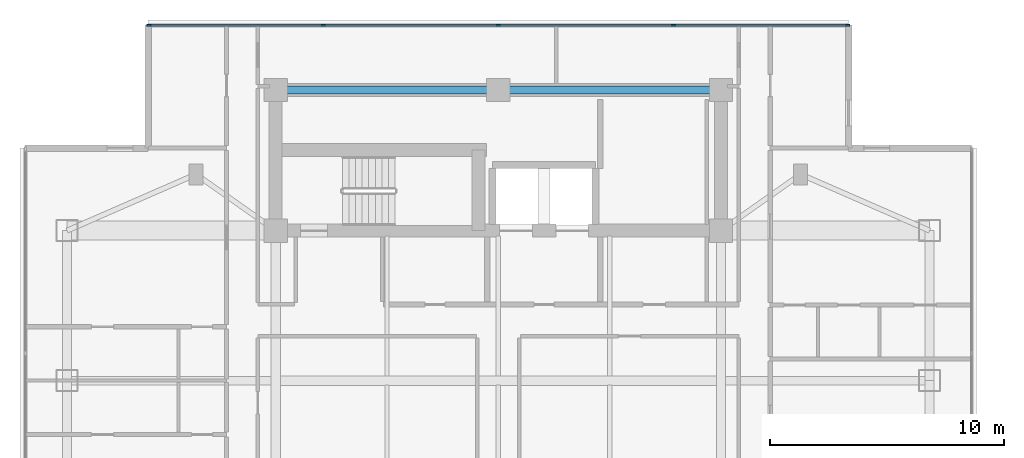
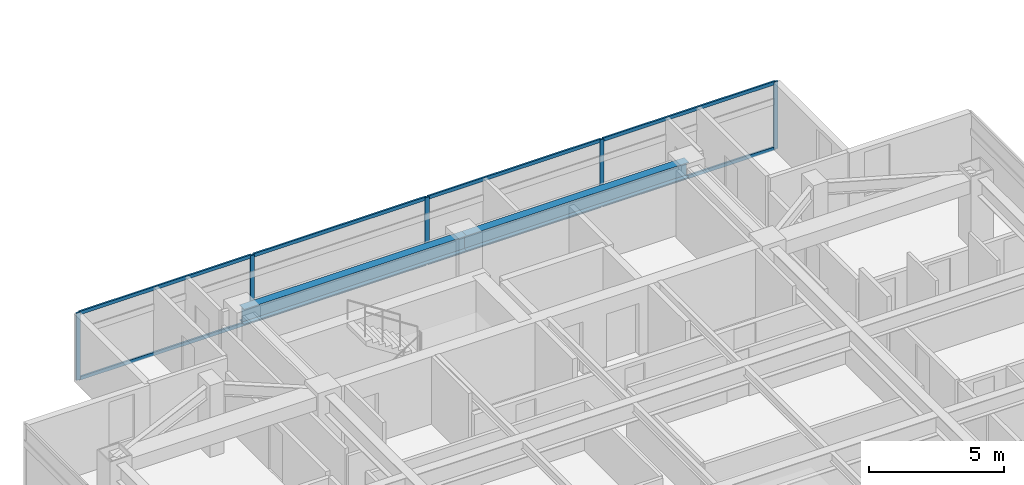
# One storey, part 7 of 24: 13 members, 2 beams, 1 element without a shape of its own.
"""IFC4 building model written with IfcOpenShell, lengths in metres."""

from ifc_helpers import new_model, si_unit, direction, frame, origin, origin_2d, place, context, subcontext, project, spatial, rectangle, i_section, extrude, material, material_profile, profile_set, type_object, element, aggregate, save


model = new_model("IFC4")

# Units and contexts
model_context = context("Model", 3, precision=1e-05, world=origin(), true_north=direction((0.0, 1.0)))
body_context = subcontext(model_context, "Body", "Model", "MODEL_VIEW")
ifc_project = project(units=[si_unit("LENGTHUNIT", "METRE"), si_unit("AREAUNIT", "SQUARE_METRE"), si_unit("VOLUMEUNIT", "CUBIC_METRE"), si_unit("PLANEANGLEUNIT", "RADIAN"), si_unit("MASSUNIT", "GRAM", prefix="KILO")], contexts=[model_context])

# Site, building, storey
site_placement = place(None, origin())
site = spatial("IfcSite", under=ifc_project, at=site_placement, CompositionType="ELEMENT")
building_placement = place(site_placement, origin())
building = spatial("IfcBuilding", under=site, at=building_placement, Name="Mirazonda Arch Towers", CompositionType="ELEMENT")
storey_placement = place(building_placement, frame((0.0, 0.0, 160.89990234375)))
storey = spatial("IfcBuildingStorey", under=building, at=storey_placement, Name="L45", CompositionType="ELEMENT", Elevation=160.89990234375)

# Beams
ifc_material_1 = material(Name="Steel ASTM A992 Grade 50", Category="steel")
ifc_material_profile_1 = material_profile(ifc_material_1, i_section(OverallWidth=0.35498046875, OverallDepth=0.696044921875, WebThickness=0.015380859375, FlangeThickness=0.02490234375, at=origin_2d()), Name="W27X146")
ifc_profile_set_1 = profile_set([ifc_material_profile_1], Name="Steel ASTM A992 Grade 50")
beam_type = type_object("IfcBeamType", Name="BM-INT-W27X146", PredefinedType="BEAM", material=ifc_profile_set_1)
for number, where, z_axis, x_axis, name in (
    (1, (11.0, 43.60009765625, 2.7021484375), (1.0, 0.0, 0.0), (0.0, 1.0, 0.0), "L45 Floor Beam BM-T1-L45-CN1"),
    (2, (20.5, 43.60009765625, 2.7021484375), (1.0, 0.0, 0.0), (0.0, 1.0, 0.0), "L45 Floor Beam BM-T1-L45-CN2"),
):
    element("IfcBeam", number, at=place(storey_placement, frame(where, z_axis=z_axis, x_axis=x_axis)), inside=storey, type_object=beam_type, Name=name, PredefinedType="BEAM", context=body_context, shape_type="SweptSolid", body=[
        extrude(i_section(OverallWidth=0.35498046875, OverallDepth=0.696044921875, WebThickness=0.015380859375, FlangeThickness=0.02490234375, at=origin_2d()), origin(), (0.0, 0.0, 1.0), 9.5),
    ])

# Curtain wall, members
ifc_material_2 = material(Name="Anodised Aluminium and Low-E Glass", Category="aluminium")
curtain_wall_type = type_object("IfcCurtainWallType", Name="CW-RES-UNIT", PredefinedType="NOTDEFINED", material=ifc_material_2)
curtain_wall_placement = place(storey_placement, origin())
curtain_wall = element("IfcCurtainWall", 3, at=curtain_wall_placement, inside=storey, type_object=curtain_wall_type, Name="L45 T1 N Facade CW-L45-T1-N", PredefinedType="NOTDEFINED")
ifc_material_3 = material(Name="Anodised Aluminium Alloy", Category="aluminium")
ifc_material_profile_2 = material_profile(ifc_material_3, rectangle(XDim=0.074951171875, YDim=0.175048828125, at=origin_2d()), Name="ALU-MULL-75x175")
ifc_profile_set_2 = profile_set([ifc_material_profile_2], Name="Anodised Aluminium Alloy")
member_type_1 = type_object("IfcMemberType", Name="MULL-CW-RES-UNIT", PredefinedType="MULLION", material=ifc_profile_set_2)
member_1_placement = place(storey_placement, frame((5.592529296875, 46.365966796875, 0.0), z_axis=(0.0, 0.0, 1.0), x_axis=(0.0, 1.0, 0.0)))
member_1 = element("IfcMember", 4, at=member_1_placement, type_object=member_type_1, Name="CW-104 mullion 1", PredefinedType="MULLION", context=body_context, shape_type="SweptSolid", body=[
    extrude(rectangle(XDim=0.074951171875, YDim=0.175048828125, at=origin_2d()), origin(), (0.0, 0.0, 1.0), 3.030029296875),
])
member_2_placement = place(storey_placement, frame((13.027587890625, 46.365966796875, 0.0), z_axis=(0.0, 0.0, 1.0), x_axis=(0.0, 1.0, 0.0)))
member_2 = element("IfcMember", 5, at=member_2_placement, type_object=member_type_1, Name="CW-104 mullion 2", PredefinedType="MULLION", context=body_context, shape_type="SweptSolid", body=[
    extrude(rectangle(XDim=0.074951171875, YDim=0.175048828125, at=origin_2d()), origin(), (0.0, 0.0, 1.0), 3.030029296875),
])
member_3_placement = place(storey_placement, frame((20.5, 46.365966796875, 0.0), z_axis=(0.0, 0.0, 1.0), x_axis=(0.0, 1.0, 0.0)))
member_3 = element("IfcMember", 6, at=member_3_placement, type_object=member_type_1, Name="CW-104 mullion 3", PredefinedType="MULLION", context=body_context, shape_type="SweptSolid", body=[
    extrude(rectangle(XDim=0.074951171875, YDim=0.175048828125, at=origin_2d()), origin(), (0.0, 0.0, 1.0), 3.030029296875),
])
member_4_placement = place(storey_placement, frame((27.972412109375, 46.365966796875, 0.0), z_axis=(0.0, 0.0, 1.0), x_axis=(0.0, 1.0, 0.0)))
member_4 = element("IfcMember", 7, at=member_4_placement, type_object=member_type_1, Name="CW-104 mullion 4", PredefinedType="MULLION", context=body_context, shape_type="SweptSolid", body=[
    extrude(rectangle(XDim=0.074951171875, YDim=0.175048828125, at=origin_2d()), origin(), (0.0, 0.0, 1.0), 3.030029296875),
])
member_5_placement = place(storey_placement, frame((35.407470703125, 46.365966796875, 0.0), z_axis=(0.0, 0.0, 1.0), x_axis=(0.0, 1.0, 0.0)))
member_5 = element("IfcMember", 8, at=member_5_placement, type_object=member_type_1, Name="CW-104 mullion 5", PredefinedType="MULLION", context=body_context, shape_type="SweptSolid", body=[
    extrude(rectangle(XDim=0.074951171875, YDim=0.175048828125, at=origin_2d()), origin(), (0.0, 0.0, 1.0), 3.030029296875),
])
ifc_material_profile_3 = material_profile(ifc_material_3, rectangle(XDim=0.074951171875, YDim=0.155029296875, at=origin_2d()), Name="ALU-TRAN-75x155")
ifc_profile_set_3 = profile_set([ifc_material_profile_3], Name="Anodised Aluminium Alloy")
member_type_2 = type_object("IfcMemberType", Name="TRAN-CW-RES-UNIT", PredefinedType="USERDEFINED", material=ifc_profile_set_3)
member_6_placement = place(storey_placement, frame((5.6298828125, 46.365966796875, 0.03759765625), z_axis=(1.0, 0.0, 0.0), x_axis=(0.0, 1.0, 0.0)))
member_6 = element("IfcMember", 9, at=member_6_placement, type_object=member_type_2, Name="CW-104 transom 1.1", ObjectType="TRANSOM", PredefinedType="USERDEFINED", context=body_context, shape_type="SweptSolid", body=[
    extrude(rectangle(XDim=0.074951171875, YDim=0.155029296875, at=origin_2d()), origin(), (0.0, 0.0, 1.0), 7.360107421875),
])
member_7_placement = place(storey_placement, frame((5.6298828125, 46.365966796875, 2.99267578125), z_axis=(1.0, 0.0, 0.0), x_axis=(0.0, 1.0, 0.0)))
member_7 = element("IfcMember", 10, at=member_7_placement, type_object=member_type_2, Name="CW-104 transom 1.2", ObjectType="TRANSOM", PredefinedType="USERDEFINED", context=body_context, shape_type="SweptSolid", body=[
    extrude(rectangle(XDim=0.074951171875, YDim=0.155029296875, at=origin_2d()), origin(), (0.0, 0.0, 1.0), 7.360107421875),
])
member_8_placement = place(storey_placement, frame((13.06494140625, 46.365966796875, 0.03759765625), z_axis=(1.0, 0.0, 0.0), x_axis=(0.0, 1.0, 0.0)))
member_8 = element("IfcMember", 11, at=member_8_placement, type_object=member_type_2, Name="CW-104 transom 2.1", ObjectType="TRANSOM", PredefinedType="USERDEFINED", context=body_context, shape_type="SweptSolid", body=[
    extrude(rectangle(XDim=0.074951171875, YDim=0.155029296875, at=origin_2d()), origin(), (0.0, 0.0, 1.0), 7.3974609375),
])
member_9_placement = place(storey_placement, frame((13.06494140625, 46.365966796875, 2.99267578125), z_axis=(1.0, 0.0, 0.0), x_axis=(0.0, 1.0, 0.0)))
member_9 = element("IfcMember", 12, at=member_9_placement, type_object=member_type_2, Name="CW-104 transom 2.2", ObjectType="TRANSOM", PredefinedType="USERDEFINED", context=body_context, shape_type="SweptSolid", body=[
    extrude(rectangle(XDim=0.074951171875, YDim=0.155029296875, at=origin_2d()), origin(), (0.0, 0.0, 1.0), 7.3974609375),
])
member_10_placement = place(storey_placement, frame((20.53759765625, 46.365966796875, 0.03759765625), z_axis=(1.0, 0.0, 0.0), x_axis=(0.0, 1.0, 0.0)))
member_10 = element("IfcMember", 13, at=member_10_placement, type_object=member_type_2, Name="CW-104 transom 3.1", ObjectType="TRANSOM", PredefinedType="USERDEFINED", context=body_context, shape_type="SweptSolid", body=[
    extrude(rectangle(XDim=0.074951171875, YDim=0.155029296875, at=origin_2d()), origin(), (0.0, 0.0, 1.0), 7.3974609375),
])
member_11_placement = place(storey_placement, frame((20.53759765625, 46.365966796875, 2.99267578125), z_axis=(1.0, 0.0, 0.0), x_axis=(0.0, 1.0, 0.0)))
member_11 = element("IfcMember", 14, at=member_11_placement, type_object=member_type_2, Name="CW-104 transom 3.2", ObjectType="TRANSOM", PredefinedType="USERDEFINED", context=body_context, shape_type="SweptSolid", body=[
    extrude(rectangle(XDim=0.074951171875, YDim=0.155029296875, at=origin_2d()), origin(), (0.0, 0.0, 1.0), 7.3974609375),
])
member_12_placement = place(storey_placement, frame((28.010009765625, 46.365966796875, 0.03759765625), z_axis=(1.0, 0.0, 0.0), x_axis=(0.0, 1.0, 0.0)))
member_12 = element("IfcMember", 15, at=member_12_placement, type_object=member_type_2, Name="CW-104 transom 4.1", ObjectType="TRANSOM", PredefinedType="USERDEFINED", context=body_context, shape_type="SweptSolid", body=[
    extrude(rectangle(XDim=0.074951171875, YDim=0.155029296875, at=origin_2d()), origin(), (0.0, 0.0, 1.0), 7.360107421875),
])
member_13_placement = place(storey_placement, frame((28.010009765625, 46.365966796875, 2.99267578125), z_axis=(1.0, 0.0, 0.0), x_axis=(0.0, 1.0, 0.0)))
member_13 = element("IfcMember", 16, at=member_13_placement, type_object=member_type_2, Name="CW-104 transom 4.2", ObjectType="TRANSOM", PredefinedType="USERDEFINED", context=body_context, shape_type="SweptSolid", body=[
    extrude(rectangle(XDim=0.074951171875, YDim=0.155029296875, at=origin_2d()), origin(), (0.0, 0.0, 1.0), 7.360107421875),
])
aggregate(curtain_wall, [member_1, member_2, member_3, member_4, member_5, member_6, member_7, member_8, member_9, member_10, member_11, member_12, member_13])

save(model, "model.ifc")
